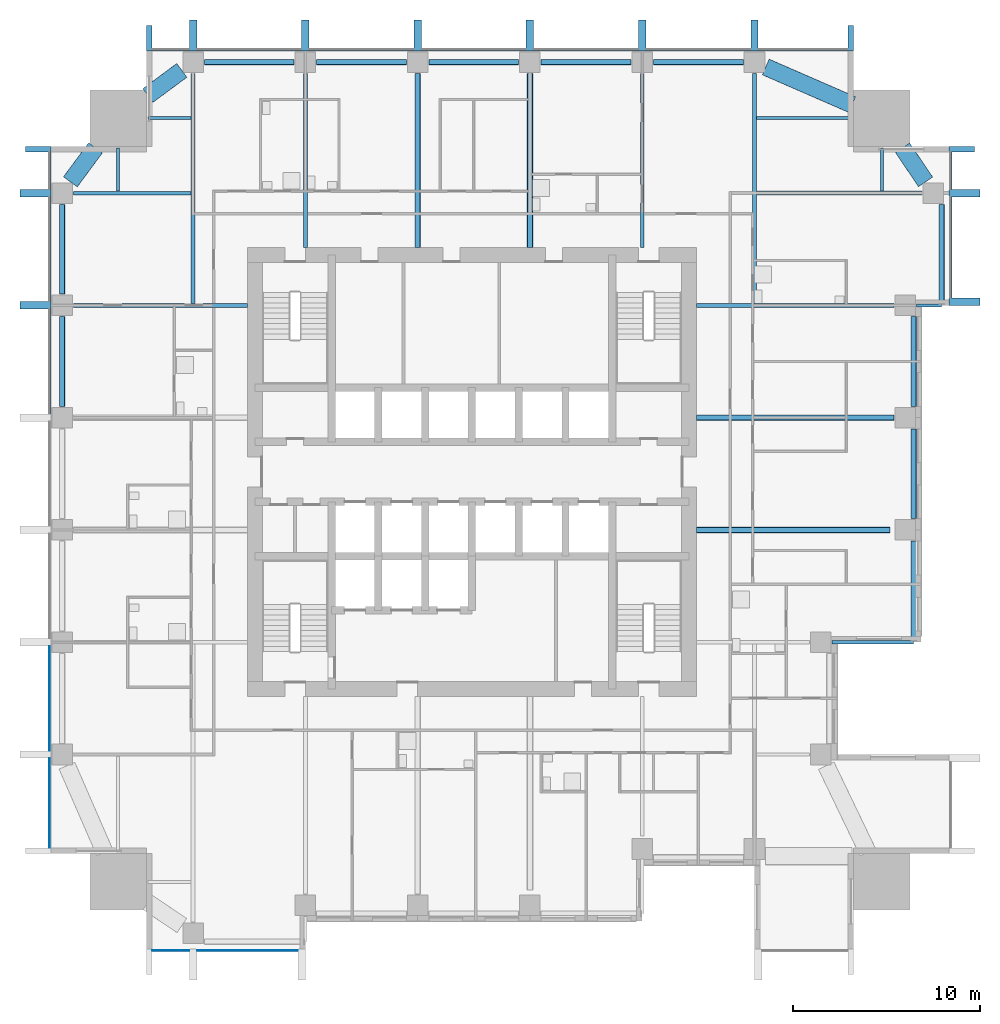
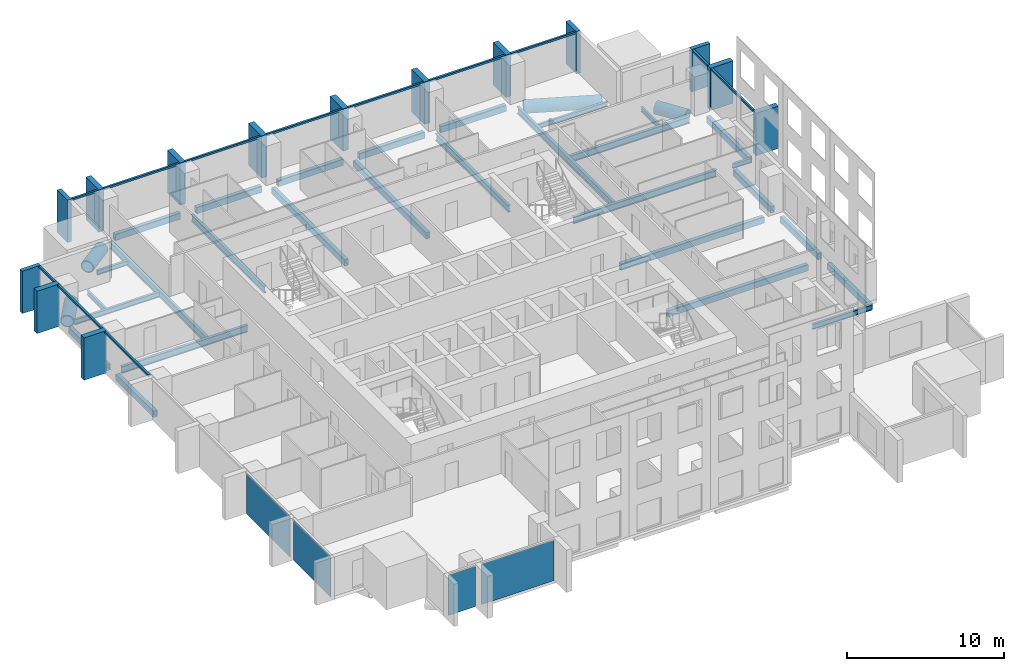
# One storey, part 2 of 13: 33 beams, 26 members, 4 plates, 4 elements without a shape of their own.
"""IFC4 building model written with IfcOpenShell, lengths in metres."""

from ifc_helpers import new_model, si_unit, direction, frame, origin, origin_2d, place, context, subcontext, project, spatial, rectangle, hollow_rectangle, hollow_circle, i_section, extrude, material, layer, layer_set, material_profile, profile_set, type_object, element, aggregate, save


model = new_model("IFC4")

# Units and contexts
model_context = context("Model", 3, precision=1e-05, world=origin(), true_north=direction((0.0, 1.0)))
body_context = subcontext(model_context, "Body", "Model", "MODEL_VIEW")
ifc_project = project(units=[si_unit("LENGTHUNIT", "METRE"), si_unit("AREAUNIT", "SQUARE_METRE"), si_unit("VOLUMEUNIT", "CUBIC_METRE"), si_unit("PLANEANGLEUNIT", "RADIAN"), si_unit("MASSUNIT", "GRAM", prefix="KILO")], contexts=[model_context])

# Site, building, storey
site_placement = place(None, origin())
site = spatial("IfcSite", under=ifc_project, at=site_placement, CompositionType="ELEMENT")
building_placement = place(site_placement, origin())
building = spatial("IfcBuilding", under=site, at=building_placement, Name="Amberfall Residences", CompositionType="ELEMENT")
storey_placement = place(building_placement, frame((0.0, 0.0, 78.699951171875)))
storey = spatial("IfcBuildingStorey", under=building, at=storey_placement, Name="L20", CompositionType="ELEMENT", Elevation=78.699951171875)

# Beams
ifc_material_1 = material(Name="Steel S355", Category="steel")
ifc_material_profile_1 = material_profile(ifc_material_1, hollow_circle(Radius=0.457275390625, WallThickness=0.06005859375, at=origin_2d()), Name="CHS 914.4x60")
ifc_profile_set_1 = profile_set([ifc_material_profile_1], Name="Steel S355")
beam_type_1 = type_object("IfcBeamType", Name="Belt truss chord BT CHS 914.4x60", PredefinedType="BEAM", material=ifc_profile_set_1)
beam_1_placement = place(storey_placement, frame((94.817626953125, 65.128662109375, -0.70703125), z_axis=(-0.916883448784, 0.399155034223, 0.0), x_axis=(-0.399155034223, -0.916883448784, 0.0)))
element("IfcBeam", 1, at=beam_1_placement, inside=storey, type_object=beam_type_1, Name="Belt truss chord BT BT2 L20 53", PredefinedType="BEAM", context=body_context, shape_type="SweptSolid", body=[
    extrude(hollow_circle(Radius=0.457275390625, WallThickness=0.06005859375, at=origin_2d()), origin(), (0.0, 0.0, 1.0), 5.036376953125),
])
beam_2_placement = place(storey_placement, frame((97.51416015625, 62.818115234375, -0.70703125), z_axis=(0.559417416459, -0.828886092393, 0.0), x_axis=(0.828886092393, 0.559417416459, 0.0)))
element("IfcBeam", 2, at=beam_2_placement, inside=storey, type_object=beam_type_1, Name="Belt truss chord BT BT2 L20 54", PredefinedType="BEAM", context=body_context, shape_type="SweptSolid", body=[
    extrude(hollow_circle(Radius=0.457275390625, WallThickness=0.06005859375, at=origin_2d()), origin(), (0.0, 0.0, 1.0), 2.193359375),
])
for number, where, z_axis, x_axis, name in (
    (3, (57.181884765625, 65.615478515625, -0.70703125), (0.804604806662, 0.59381066435, 0.0), (-0.59381066435, 0.804604806662, 0.0), "Belt truss chord BT BT2 L20 55"),
    (4, (54.384521484375, 62.818115234375, -0.70703125), (-0.59381066435, -0.804604806662, 0.0), (0.804604806662, -0.59381066435, 0.0), "Belt truss chord BT BT2 L20 56"),
):
    element("IfcBeam", number, at=place(storey_placement, frame(where, z_axis=z_axis, x_axis=x_axis)), inside=storey, type_object=beam_type_1, Name=name, PredefinedType="BEAM", context=body_context, shape_type="SweptSolid", body=[
        extrude(hollow_circle(Radius=0.457275390625, WallThickness=0.06005859375, at=origin_2d()), origin(), (0.0, 0.0, 1.0), 2.259521484375),
    ])
ifc_material_profile_2 = material_profile(ifc_material_1, hollow_rectangle(XDim=0.300048828125, YDim=0.5, WallThickness=0.01611328125, InnerFilletRadius=0.01611328125, OuterFilletRadius=0.02392578125, at=origin_2d()), Name="RHS 500x300x16")
ifc_profile_set_2 = profile_set([ifc_material_profile_2], Name="Steel S355")
beam_type_2 = type_object("IfcBeamType", Name="Belt truss chord BT RHS 500x300x16", PredefinedType="BEAM", material=ifc_profile_set_2)
beam_3_placement = place(storey_placement, frame((98.10009765625, 36.47998046875, -0.5), z_axis=(0.0, 1.0, 0.0), x_axis=(-1.0, 0.0, 0.0)))
element("IfcBeam", 5, at=beam_3_placement, inside=storey, type_object=beam_type_2, Name="Belt truss chord BT BT1 L20 15", PredefinedType="BEAM", context=body_context, shape_type="SweptSolid", body=[
    extrude(hollow_rectangle(XDim=0.300048828125, YDim=0.5, WallThickness=0.01611328125, InnerFilletRadius=0.01611328125, OuterFilletRadius=0.02392578125, at=origin_2d()), origin(), (0.0, 0.0, 1.0), 5.320068359375),
])
for number, where, z_axis, x_axis, name in (
    (6, (98.10009765625, 43.0, -0.5), (0.0, 1.0, 0.0), (-1.0, 0.0, 0.0), "Belt truss chord BT BT1 L20 16"),
    (7, (98.10009765625, 49.0, -0.5), (0.0, 1.0, 0.0), (-1.0, 0.0, 0.0), "Belt truss chord BT BT1 L20 17"),
):
    element("IfcBeam", number, at=place(storey_placement, frame(where, z_axis=z_axis, x_axis=x_axis)), inside=storey, type_object=beam_type_2, Name=name, PredefinedType="BEAM", context=body_context, shape_type="SweptSolid", body=[
        extrude(hollow_rectangle(XDim=0.300048828125, YDim=0.5, WallThickness=0.01611328125, InnerFilletRadius=0.01611328125, OuterFilletRadius=0.02392578125, at=origin_2d()), origin(), (0.0, 0.0, 1.0), 4.800048828125),
    ])
beam_4_placement = place(storey_placement, frame((99.60009765625, 54.47998046875, -0.5), z_axis=(0.0, 1.0, 0.0), x_axis=(-1.0, 0.0, 0.0)))
element("IfcBeam", 8, at=beam_4_placement, inside=storey, type_object=beam_type_2, Name="Belt truss chord BT BT1 L20 18", PredefinedType="BEAM", context=body_context, shape_type="SweptSolid", body=[
    extrude(hollow_rectangle(XDim=0.300048828125, YDim=0.5, WallThickness=0.01611328125, InnerFilletRadius=0.01611328125, OuterFilletRadius=0.02392578125, at=origin_2d()), origin(), (0.0, 0.0, 1.0), 5.320068359375),
])
for number, where, z_axis, x_axis, name in (
    (9, (60.199951171875, 67.39990234375, -0.5), (1.0, 0.0, 0.0), (0.0, 1.0, 0.0), "Belt truss chord BT BT1 L20 27"),
    (10, (66.199951171875, 67.39990234375, -0.5), (1.0, 0.0, 0.0), (0.0, 1.0, 0.0), "Belt truss chord BT BT1 L20 28"),
    (11, (72.199951171875, 67.39990234375, -0.5), (1.0, 0.0, 0.0), (0.0, 1.0, 0.0), "Belt truss chord BT BT1 L20 29"),
    (12, (78.199951171875, 67.39990234375, -0.5), (1.0, 0.0, 0.0), (0.0, 1.0, 0.0), "Belt truss chord BT BT1 L20 30"),
    (13, (84.199951171875, 67.39990234375, -0.5), (1.0, 0.0, 0.0), (0.0, 1.0, 0.0), "Belt truss chord BT BT1 L20 31"),
    (14, (52.60009765625, 49.0, -0.5), (0.0, 1.0, 0.0), (-1.0, 0.0, 0.0), "Belt truss chord BT BT1 L20 41"),
    (15, (52.60009765625, 55.0, -0.5), (0.0, 1.0, 0.0), (-1.0, 0.0, 0.0), "Belt truss chord BT BT1 L20 42"),
):
    element("IfcBeam", number, at=place(storey_placement, frame(where, z_axis=z_axis, x_axis=x_axis)), inside=storey, type_object=beam_type_2, Name=name, PredefinedType="BEAM", context=body_context, shape_type="SweptSolid", body=[
        extrude(hollow_rectangle(XDim=0.300048828125, YDim=0.5, WallThickness=0.01611328125, InnerFilletRadius=0.01611328125, OuterFilletRadius=0.02392578125, at=origin_2d()), origin(), (0.0, 0.0, 1.0), 4.800048828125),
    ])

# Curtain wall, members
ifc_material_2 = material(Name="Bronze anodised aluminium and glass", Category="aluminium")
curtain_wall_type = type_object("IfcCurtainWallType", Name="Curtain wall CW1 tower unit", PredefinedType="USERDEFINED", material=ifc_material_2)
curtain_wall_1_placement = place(storey_placement, origin())
curtain_wall_1 = element("IfcCurtainWall", 16, at=curtain_wall_1_placement, inside=storey, type_object=curtain_wall_type, Name="Curtain wall L20 E E9", ObjectType="UNITISED CURTAIN WALL", PredefinedType="USERDEFINED")
ifc_material_3 = material(Name="Bronze anodised aluminium", Category="aluminium")
ifc_material_profile_3 = material_profile(ifc_material_3, rectangle(XDim=0.14990234375, YDim=0.14990234375, at=origin_2d()), Name="CW1 transom 150 x 150 bronze")
ifc_profile_set_3 = profile_set([ifc_material_profile_3], Name="Bronze anodised aluminium")
member_type_1 = type_object("IfcMemberType", Name="CW1 transom 150 x 150 bronze", PredefinedType="USERDEFINED", material=ifc_profile_set_3)
member_1_placement = place(storey_placement, frame((100.074951171875, 54.800048828125, 2.97509765625), z_axis=(0.0, 1.0, 0.0), x_axis=(-1.0, 0.0, 0.0)))
member_1 = element("IfcMember", 17, at=member_1_placement, type_object=member_type_1, Name="CW1 transom 1.1", ObjectType="TRANSOM", PredefinedType="USERDEFINED", context=body_context, shape_type="SweptSolid", body=[
    extrude(rectangle(XDim=0.14990234375, YDim=0.14990234375, at=origin_2d()), origin(), (0.0, 0.0, 1.0), 5.39990234375),
])
member_2_placement = place(storey_placement, frame((100.074951171875, 60.60009765625, 2.97509765625), z_axis=(0.0, 1.0, 0.0), x_axis=(-1.0, 0.0, 0.0)))
member_2 = element("IfcMember", 18, at=member_2_placement, type_object=member_type_1, Name="CW1 transom 2.1", ObjectType="TRANSOM", PredefinedType="USERDEFINED", context=body_context, shape_type="SweptSolid", body=[
    extrude(rectangle(XDim=0.14990234375, YDim=0.14990234375, at=origin_2d()), origin(), (0.0, 0.0, 1.0), 2.0),
])

curtain_wall_2_placement = place(storey_placement, origin())
curtain_wall_2 = element("IfcCurtainWall", 19, at=curtain_wall_2_placement, inside=storey, type_object=curtain_wall_type, Name="Curtain wall L20 N N1", ObjectType="UNITISED CURTAIN WALL", PredefinedType="USERDEFINED")
member_3_placement = place(storey_placement, frame((94.60009765625, 68.074951171875, 2.97509765625), z_axis=(-1.0, 0.0, 0.0), x_axis=(0.0, -1.0, 0.0)))
member_3 = element("IfcMember", 20, at=member_3_placement, type_object=member_type_1, Name="CW1 transom 1.1", ObjectType="TRANSOM", PredefinedType="USERDEFINED", context=body_context, shape_type="SweptSolid", body=[
    extrude(rectangle(XDim=0.14990234375, YDim=0.14990234375, at=origin_2d()), origin(), (0.0, 0.0, 1.0), 4.800048828125),
])
member_4_placement = place(storey_placement, frame((89.39990234375, 68.074951171875, 2.97509765625), z_axis=(-1.0, 0.0, 0.0), x_axis=(0.0, -1.0, 0.0)))
member_4 = element("IfcMember", 21, at=member_4_placement, type_object=member_type_1, Name="CW1 transom 2.1", ObjectType="TRANSOM", PredefinedType="USERDEFINED", context=body_context, shape_type="SweptSolid", body=[
    extrude(rectangle(XDim=0.14990234375, YDim=0.14990234375, at=origin_2d()), origin(), (0.0, 0.0, 1.0), 5.599853515625),
])
member_5_placement = place(storey_placement, frame((83.39990234375, 68.074951171875, 2.97509765625), z_axis=(-1.0, 0.0, 0.0), x_axis=(0.0, -1.0, 0.0)))
member_5 = element("IfcMember", 22, at=member_5_placement, type_object=member_type_1, Name="CW1 transom 3.1", ObjectType="TRANSOM", PredefinedType="USERDEFINED", context=body_context, shape_type="SweptSolid", body=[
    extrude(rectangle(XDim=0.14990234375, YDim=0.14990234375, at=origin_2d()), origin(), (0.0, 0.0, 1.0), 5.599853515625),
])
member_6_placement = place(storey_placement, frame((77.39990234375, 68.074951171875, 2.97509765625), z_axis=(-1.0, 0.0, 0.0), x_axis=(0.0, -1.0, 0.0)))
member_6 = element("IfcMember", 23, at=member_6_placement, type_object=member_type_1, Name="CW1 transom 4.1", ObjectType="TRANSOM", PredefinedType="USERDEFINED", context=body_context, shape_type="SweptSolid", body=[
    extrude(rectangle(XDim=0.14990234375, YDim=0.14990234375, at=origin_2d()), origin(), (0.0, 0.0, 1.0), 5.599853515625),
])
member_7_placement = place(storey_placement, frame((71.39990234375, 68.074951171875, 2.97509765625), z_axis=(-1.0, 0.0, 0.0), x_axis=(0.0, -1.0, 0.0)))
member_7 = element("IfcMember", 24, at=member_7_placement, type_object=member_type_1, Name="CW1 transom 5.1", ObjectType="TRANSOM", PredefinedType="USERDEFINED", context=body_context, shape_type="SweptSolid", body=[
    extrude(rectangle(XDim=0.14990234375, YDim=0.14990234375, at=origin_2d()), origin(), (0.0, 0.0, 1.0), 5.599853515625),
])
member_8_placement = place(storey_placement, frame((65.39990234375, 68.074951171875, 2.97509765625), z_axis=(-1.0, 0.0, 0.0), x_axis=(0.0, -1.0, 0.0)))
member_8 = element("IfcMember", 25, at=member_8_placement, type_object=member_type_1, Name="CW1 transom 6.1", ObjectType="TRANSOM", PredefinedType="USERDEFINED", context=body_context, shape_type="SweptSolid", body=[
    extrude(rectangle(XDim=0.14990234375, YDim=0.14990234375, at=origin_2d()), origin(), (0.0, 0.0, 1.0), 5.599853515625),
])
member_9_placement = place(storey_placement, frame((59.39990234375, 68.074951171875, 2.97509765625), z_axis=(-1.0, 0.0, 0.0), x_axis=(0.0, -1.0, 0.0)))
member_9 = element("IfcMember", 26, at=member_9_placement, type_object=member_type_1, Name="CW1 transom 7.1", ObjectType="TRANSOM", PredefinedType="USERDEFINED", context=body_context, shape_type="SweptSolid", body=[
    extrude(rectangle(XDim=0.14990234375, YDim=0.14990234375, at=origin_2d()), origin(), (0.0, 0.0, 1.0), 2.0),
])

curtain_wall_3_placement = place(storey_placement, origin())
curtain_wall_3 = element("IfcCurtainWall", 27, at=curtain_wall_3_placement, inside=storey, type_object=curtain_wall_type, Name="Curtain wall L20 W W1", ObjectType="UNITISED CURTAIN WALL", PredefinedType="USERDEFINED")
member_10_placement = place(storey_placement, frame((51.925048828125, 62.60009765625, 2.97509765625), z_axis=(0.0, -1.0, 0.0), x_axis=(1.0, 0.0, 0.0)))
member_10 = element("IfcMember", 28, at=member_10_placement, type_object=member_type_1, Name="CW1 transom 1.1", ObjectType="TRANSOM", PredefinedType="USERDEFINED", context=body_context, shape_type="SweptSolid", body=[
    extrude(rectangle(XDim=0.14990234375, YDim=0.14990234375, at=origin_2d()), origin(), (0.0, 0.0, 1.0), 2.0),
])
member_11_placement = place(storey_placement, frame((51.925048828125, 60.199951171875, 2.97509765625), z_axis=(0.0, -1.0, 0.0), x_axis=(1.0, 0.0, 0.0)))
member_11 = element("IfcMember", 29, at=member_11_placement, type_object=member_type_1, Name="CW1 transom 2.1", ObjectType="TRANSOM", PredefinedType="USERDEFINED", context=body_context, shape_type="SweptSolid", body=[
    extrude(rectangle(XDim=0.14990234375, YDim=0.14990234375, at=origin_2d()), origin(), (0.0, 0.0, 1.0), 5.599853515625),
])
member_12_placement = place(storey_placement, frame((51.925048828125, 54.199951171875, 2.97509765625), z_axis=(0.0, -1.0, 0.0), x_axis=(1.0, 0.0, 0.0)))
member_12 = element("IfcMember", 30, at=member_12_placement, type_object=member_type_1, Name="CW1 transom 3.1", ObjectType="TRANSOM", PredefinedType="USERDEFINED", context=body_context, shape_type="SweptSolid", body=[
    extrude(rectangle(XDim=0.14990234375, YDim=0.14990234375, at=origin_2d()), origin(), (0.0, 0.0, 1.0), 5.599853515625),
])

# Beams
ifc_material_profile_4 = material_profile(ifc_material_1, i_section(OverallWidth=0.171142578125, OverallDepth=0.351318359375, WebThickness=0.007080078125, FlangeThickness=0.009765625, FilletRadius=0.01025390625, at=origin_2d()), Name="UB 356x171x45")
ifc_profile_set_4 = profile_set([ifc_material_profile_4], Name="Steel S355")
beam_type_3 = type_object("IfcBeamType", Name="Cantilever girder UB 356x171x45", PredefinedType="BEAM", material=ifc_profile_set_4)
beam_5_placement = place(storey_placement, frame((98.2470703125, 54.39990234375, -0.425537109375), z_axis=(1.0, 0.0, 0.0), x_axis=(0.0, 1.0, 0.0)))
element("IfcBeam", 31, at=beam_5_placement, inside=storey, type_object=beam_type_3, Name="Cantilever girder B8 L20 20", PredefinedType="BEAM", context=body_context, shape_type="SweptSolid", body=[
    extrude(i_section(OverallWidth=0.171142578125, OverallDepth=0.351318359375, WebThickness=0.007080078125, FlangeThickness=0.009765625, FilletRadius=0.01025390625, at=origin_2d()), origin(), (0.0, 0.0, 1.0), 1.35302734375),
])
ifc_material_profile_5 = material_profile(ifc_material_1, i_section(OverallWidth=0.177734375, OverallDepth=0.402587890625, WebThickness=0.0078125, FlangeThickness=0.010986328125, FilletRadius=0.01025390625, at=origin_2d()), Name="UB 406x178x54")
ifc_profile_set_5 = profile_set([ifc_material_profile_5], Name="Steel S355")
beam_type_4 = type_object("IfcBeamType", Name="Cantilever girder UB 406x178x54", PredefinedType="BEAM", material=ifc_profile_set_5)
beam_6_placement = place(storey_placement, frame((93.7470703125, 36.39990234375, -0.451171875), z_axis=(1.0, 0.0, 0.0), x_axis=(0.0, 1.0, 0.0)))
element("IfcBeam", 32, at=beam_6_placement, inside=storey, type_object=beam_type_4, Name="Cantilever girder B9 L20 19", PredefinedType="BEAM", context=body_context, shape_type="SweptSolid", body=[
    extrude(i_section(OverallWidth=0.177734375, OverallDepth=0.402587890625, WebThickness=0.0078125, FlangeThickness=0.010986328125, FilletRadius=0.01025390625, at=origin_2d()), origin(), (0.0, 0.0, 1.0), 4.35302734375),
])

# Member
ifc_material_profile_6 = material_profile(ifc_material_3, rectangle(XDim=1.35009765625, YDim=0.300048828125, at=origin_2d()), Name="Corner fin 300 x 1350 bronze")
ifc_profile_set_6 = profile_set([ifc_material_profile_6], Name="Bronze anodised aluminium")
member_type_2 = type_object("IfcMemberType", Name="Corner fin 300 x 1350 bronze", PredefinedType="MULLION", material=ifc_profile_set_6)
member_13_placement = place(storey_placement, frame((100.675048828125, 62.75, -0.25), z_axis=(0.0, 0.0, 1.0), x_axis=(-1.0, 0.0, 0.0)))
member_13 = element("IfcMember", 33, at=member_13_placement, type_object=member_type_2, Name="CW FIN 3", PredefinedType="MULLION", context=body_context, shape_type="SweptSolid", body=[
    extrude(rectangle(XDim=1.35009765625, YDim=0.300048828125, at=origin_2d()), origin(), (0.0, 0.0, 1.0), 3.300048828125),
])

member_14_placement = place(storey_placement, frame((94.75, 68.675048828125, -0.25), z_axis=(0.0, 0.0, 1.0), x_axis=(0.0, -1.0, 0.0)))
member_14 = element("IfcMember", 34, at=member_14_placement, type_object=member_type_2, Name="CW FIN 1", PredefinedType="MULLION", context=body_context, shape_type="SweptSolid", body=[
    extrude(rectangle(XDim=1.35009765625, YDim=0.300048828125, at=origin_2d()), origin(), (0.0, 0.0, 1.0), 3.300048828125),
])

member_15_placement = place(storey_placement, frame((57.25, 68.675048828125, -0.25), z_axis=(0.0, 0.0, 1.0), x_axis=(0.0, -1.0, 0.0)))
member_15 = element("IfcMember", 35, at=member_15_placement, type_object=member_type_2, Name="CW FIN 8", PredefinedType="MULLION", context=body_context, shape_type="SweptSolid", body=[
    extrude(rectangle(XDim=1.35009765625, YDim=0.300048828125, at=origin_2d()), origin(), (0.0, 0.0, 1.0), 3.300048828125),
])

member_16_placement = place(storey_placement, frame((51.324951171875, 62.75, -0.25), z_axis=(0.0, 0.0, 1.0), x_axis=(1.0, 0.0, 0.0)))
member_16 = element("IfcMember", 36, at=member_16_placement, type_object=member_type_2, Name="CW FIN 1", PredefinedType="MULLION", context=body_context, shape_type="SweptSolid", body=[
    extrude(rectangle(XDim=1.35009765625, YDim=0.300048828125, at=origin_2d()), origin(), (0.0, 0.0, 1.0), 3.300048828125),
])

ifc_material_profile_7 = material_profile(ifc_material_3, rectangle(XDim=1.64990234375, YDim=0.39990234375, at=origin_2d()), Name="Fin 400 x 1650 bronze")
ifc_profile_set_7 = profile_set([ifc_material_profile_7], Name="Bronze anodised aluminium")
member_type_3 = type_object("IfcMemberType", Name="Fin 400 x 1650 bronze", PredefinedType="MULLION", material=ifc_profile_set_7)
member_17_placement = place(storey_placement, frame((100.824951171875, 54.60009765625, -0.25), z_axis=(0.0, 0.0, 1.0), x_axis=(-1.0, 0.0, 0.0)))
member_17 = element("IfcMember", 37, at=member_17_placement, type_object=member_type_3, Name="CW FIN 1", PredefinedType="MULLION", context=body_context, shape_type="SweptSolid", body=[
    extrude(rectangle(XDim=1.64990234375, YDim=0.39990234375, at=origin_2d()), origin(), (0.0, 0.0, 1.0), 3.300048828125),
])

member_18_placement = place(storey_placement, frame((100.824951171875, 60.39990234375, -0.25), z_axis=(0.0, 0.0, 1.0), x_axis=(-1.0, 0.0, 0.0)))
member_18 = element("IfcMember", 38, at=member_18_placement, type_object=member_type_3, Name="CW FIN 2", PredefinedType="MULLION", context=body_context, shape_type="SweptSolid", body=[
    extrude(rectangle(XDim=1.64990234375, YDim=0.39990234375, at=origin_2d()), origin(), (0.0, 0.0, 1.0), 3.300048828125),
])

aggregate(curtain_wall_1, [member_17, member_18, member_13, member_1, member_2])

member_19_placement = place(storey_placement, frame((89.60009765625, 68.824951171875, -0.25), z_axis=(0.0, 0.0, 1.0), x_axis=(0.0, -1.0, 0.0)))
member_19 = element("IfcMember", 39, at=member_19_placement, type_object=member_type_3, Name="CW FIN 2", PredefinedType="MULLION", context=body_context, shape_type="SweptSolid", body=[
    extrude(rectangle(XDim=1.64990234375, YDim=0.39990234375, at=origin_2d()), origin(), (0.0, 0.0, 1.0), 3.300048828125),
])

member_20_placement = place(storey_placement, frame((83.60009765625, 68.824951171875, -0.25), z_axis=(0.0, 0.0, 1.0), x_axis=(0.0, -1.0, 0.0)))
member_20 = element("IfcMember", 40, at=member_20_placement, type_object=member_type_3, Name="CW FIN 3", PredefinedType="MULLION", context=body_context, shape_type="SweptSolid", body=[
    extrude(rectangle(XDim=1.64990234375, YDim=0.39990234375, at=origin_2d()), origin(), (0.0, 0.0, 1.0), 3.300048828125),
])

member_21_placement = place(storey_placement, frame((77.60009765625, 68.824951171875, -0.25), z_axis=(0.0, 0.0, 1.0), x_axis=(0.0, -1.0, 0.0)))
member_21 = element("IfcMember", 41, at=member_21_placement, type_object=member_type_3, Name="CW FIN 4", PredefinedType="MULLION", context=body_context, shape_type="SweptSolid", body=[
    extrude(rectangle(XDim=1.64990234375, YDim=0.39990234375, at=origin_2d()), origin(), (0.0, 0.0, 1.0), 3.300048828125),
])

member_22_placement = place(storey_placement, frame((71.60009765625, 68.824951171875, -0.25), z_axis=(0.0, 0.0, 1.0), x_axis=(0.0, -1.0, 0.0)))
member_22 = element("IfcMember", 42, at=member_22_placement, type_object=member_type_3, Name="CW FIN 5", PredefinedType="MULLION", context=body_context, shape_type="SweptSolid", body=[
    extrude(rectangle(XDim=1.64990234375, YDim=0.39990234375, at=origin_2d()), origin(), (0.0, 0.0, 1.0), 3.300048828125),
])

member_23_placement = place(storey_placement, frame((65.60009765625, 68.824951171875, -0.25), z_axis=(0.0, 0.0, 1.0), x_axis=(0.0, -1.0, 0.0)))
member_23 = element("IfcMember", 43, at=member_23_placement, type_object=member_type_3, Name="CW FIN 6", PredefinedType="MULLION", context=body_context, shape_type="SweptSolid", body=[
    extrude(rectangle(XDim=1.64990234375, YDim=0.39990234375, at=origin_2d()), origin(), (0.0, 0.0, 1.0), 3.300048828125),
])

member_24_placement = place(storey_placement, frame((59.60009765625, 68.824951171875, -0.25), z_axis=(0.0, 0.0, 1.0), x_axis=(0.0, -1.0, 0.0)))
member_24 = element("IfcMember", 44, at=member_24_placement, type_object=member_type_3, Name="CW FIN 7", PredefinedType="MULLION", context=body_context, shape_type="SweptSolid", body=[
    extrude(rectangle(XDim=1.64990234375, YDim=0.39990234375, at=origin_2d()), origin(), (0.0, 0.0, 1.0), 3.300048828125),
])

aggregate(curtain_wall_2, [member_14, member_19, member_20, member_21, member_22, member_23, member_24, member_15, member_3, member_4, member_5, member_6, member_7, member_8, member_9])

member_25_placement = place(storey_placement, frame((51.175048828125, 60.39990234375, -0.25), z_axis=(0.0, 0.0, 1.0), x_axis=(1.0, 0.0, 0.0)))
member_25 = element("IfcMember", 45, at=member_25_placement, type_object=member_type_3, Name="CW FIN 2", PredefinedType="MULLION", context=body_context, shape_type="SweptSolid", body=[
    extrude(rectangle(XDim=1.64990234375, YDim=0.39990234375, at=origin_2d()), origin(), (0.0, 0.0, 1.0), 3.300048828125),
])

member_26_placement = place(storey_placement, frame((51.175048828125, 54.39990234375, -0.25), z_axis=(0.0, 0.0, 1.0), x_axis=(1.0, 0.0, 0.0)))
member_26 = element("IfcMember", 46, at=member_26_placement, type_object=member_type_3, Name="CW FIN 3", PredefinedType="MULLION", context=body_context, shape_type="SweptSolid", body=[
    extrude(rectangle(XDim=1.64990234375, YDim=0.39990234375, at=origin_2d()), origin(), (0.0, 0.0, 1.0), 3.300048828125),
])

# Beams
ifc_material_profile_8 = material_profile(ifc_material_1, i_section(OverallWidth=0.177734375, OverallDepth=0.402587890625, WebThickness=0.0078125, FlangeThickness=0.010986328125, FilletRadius=0.01025390625, at=origin_2d()), Name="UB 406x178x54")
ifc_profile_set_8 = profile_set([ifc_material_profile_8], Name="Steel S355")
beam_type_5 = type_object("IfcBeamType", Name="Floor girder UB 406x178x54", PredefinedType="BEAM", material=ifc_profile_set_8)
beam_7_placement = place(storey_placement, frame((53.199951171875, 60.39990234375, -0.451171875), z_axis=(1.0, 0.0, 0.0), x_axis=(0.0, 1.0, 0.0)))
element("IfcBeam", 47, at=beam_7_placement, inside=storey, type_object=beam_type_5, Name="Floor girder B4 L20 48", PredefinedType="BEAM", context=body_context, shape_type="SweptSolid", body=[
    extrude(i_section(OverallWidth=0.177734375, OverallDepth=0.402587890625, WebThickness=0.0078125, FlangeThickness=0.010986328125, FilletRadius=0.01025390625, at=origin_2d()), origin(), (0.0, 0.0, 1.0), 6.280029296875),
])
ifc_material_profile_9 = material_profile(ifc_material_1, i_section(OverallWidth=0.210693359375, OverallDepth=0.53955078125, WebThickness=0.01171875, FlangeThickness=0.018798828125, FilletRadius=0.0126953125, at=origin_2d()), Name="UB 533x210x109")
ifc_profile_set_9 = profile_set([ifc_material_profile_9], Name="Steel S355")
beam_type_6 = type_object("IfcBeamType", Name="Floor girder UB 533x210x109", PredefinedType="BEAM", material=ifc_profile_set_9)
for number, where, z_axis, x_axis, name in (
    (48, (59.60009765625, 66.800048828125, -0.519775390625), (0.0, -1.0, 0.0), (1.0, 0.0, 0.0), "Floor girder B2 L20 32"),
    (49, (89.60009765625, 66.800048828125, -0.519775390625), (0.0, -1.0, 0.0), (1.0, 0.0, 0.0), "Floor girder B2 L20 37"),
):
    element("IfcBeam", number, at=place(storey_placement, frame(where, z_axis=z_axis, x_axis=x_axis)), inside=storey, type_object=beam_type_6, Name=name, PredefinedType="BEAM", context=body_context, shape_type="SweptSolid", body=[
        extrude(i_section(OverallWidth=0.210693359375, OverallDepth=0.53955078125, WebThickness=0.01171875, FlangeThickness=0.018798828125, FilletRadius=0.0126953125, at=origin_2d()), origin(), (0.0, 0.0, 1.0), 12.300537109375),
    ])
ifc_material_profile_10 = material_profile(ifc_material_1, i_section(OverallWidth=0.209228515625, OverallDepth=0.533203125, WebThickness=0.010009765625, FlangeThickness=0.015625, FilletRadius=0.0126953125, at=origin_2d()), Name="UB 533x210x92")
ifc_profile_set_10 = profile_set([ifc_material_profile_10], Name="Steel S355")
beam_type_7 = type_object("IfcBeamType", Name="Floor girder UB 533x210x92", PredefinedType="BEAM", material=ifc_profile_set_10)
beam_8_placement = place(storey_placement, frame((97.047119140625, 54.39990234375, -0.5166015625), z_axis=(-1.0, 0.0, 0.0), x_axis=(0.0, -1.0, 0.0)))
element("IfcBeam", 50, at=beam_8_placement, inside=storey, type_object=beam_type_7, Name="Floor girder B3 L20 25", PredefinedType="BEAM", context=body_context, shape_type="SweptSolid", body=[
    extrude(i_section(OverallWidth=0.209228515625, OverallDepth=0.533203125, WebThickness=0.010009765625, FlangeThickness=0.015625, FilletRadius=0.0126953125, at=origin_2d()), origin(), (0.0, 0.0, 1.0), 10.547119140625),
])
beam_9_placement = place(storey_placement, frame((98.547119140625, 60.39990234375, -0.5166015625), z_axis=(-1.0, 0.0, 0.0), x_axis=(0.0, -1.0, 0.0)))
element("IfcBeam", 51, at=beam_9_placement, inside=storey, type_object=beam_type_7, Name="Floor girder B3 L20 26", PredefinedType="BEAM", context=body_context, shape_type="SweptSolid", body=[
    extrude(i_section(OverallWidth=0.209228515625, OverallDepth=0.533203125, WebThickness=0.010009765625, FlangeThickness=0.015625, FilletRadius=0.0126953125, at=origin_2d()), origin(), (0.0, 0.0, 1.0), 8.8271484375),
])
for number, where, z_axis, x_axis, name in (
    (52, (65.60009765625, 66.800048828125, -0.5166015625), (0.0, -1.0, 0.0), (1.0, 0.0, 0.0), "Floor girder B3 L20 33"),
    (53, (83.60009765625, 66.800048828125, -0.5166015625), (0.0, -1.0, 0.0), (1.0, 0.0, 0.0), "Floor girder B3 L20 36"),
    (54, (53.199951171875, 54.39990234375, -0.5166015625), (1.0, 0.0, 0.0), (0.0, 1.0, 0.0), "Floor girder B3 L20 47"),
):
    element("IfcBeam", number, at=place(storey_placement, frame(where, z_axis=z_axis, x_axis=x_axis)), inside=storey, type_object=beam_type_7, Name=name, PredefinedType="BEAM", context=body_context, shape_type="SweptSolid", body=[
        extrude(i_section(OverallWidth=0.209228515625, OverallDepth=0.533203125, WebThickness=0.010009765625, FlangeThickness=0.015625, FilletRadius=0.0126953125, at=origin_2d()), origin(), (0.0, 0.0, 1.0), 9.300048828125),
    ])
ifc_material_profile_11 = material_profile(ifc_material_1, i_section(OverallWidth=0.171142578125, OverallDepth=0.351318359375, WebThickness=0.007080078125, FlangeThickness=0.009765625, FilletRadius=0.01025390625, at=origin_2d()), Name="UB 356x171x45")
ifc_profile_set_11 = profile_set([ifc_material_profile_11], Name="Steel S355")
beam_type_8 = type_object("IfcBeamType", Name="Link beam UB 356x171x45", PredefinedType="BEAM", material=ifc_profile_set_11)
beam_10_placement = place(storey_placement, frame((94.815185546875, 64.41845703125, -0.425537109375), z_axis=(-1.0, 0.0, 0.0), x_axis=(0.0, -1.0, 0.0)))
element("IfcBeam", 55, at=beam_10_placement, inside=storey, type_object=beam_type_8, Name="Link beam B7 L20 59", PredefinedType="BEAM", context=body_context, shape_type="SweptSolid", body=[
    extrude(i_section(OverallWidth=0.171142578125, OverallDepth=0.351318359375, WebThickness=0.007080078125, FlangeThickness=0.009765625, FilletRadius=0.01025390625, at=origin_2d()), origin(), (0.0, 0.0, 1.0), 5.110107421875),
])
for number, where, z_axis, x_axis, name in (
    (56, (96.41845703125, 62.815185546875, -0.425537109375), (0.0, -1.0, 0.0), (1.0, 0.0, 0.0), "Link beam B7 L20 60"),
    (57, (57.184814453125, 64.41845703125, -0.425537109375), (1.0, 0.0, 0.0), (0.0, 1.0, 0.0), "Link beam B7 L20 61"),
    (58, (55.58154296875, 62.815185546875, -0.425537109375), (0.0, -1.0, 0.0), (1.0, 0.0, 0.0), "Link beam B7 L20 62"),
):
    element("IfcBeam", number, at=place(storey_placement, frame(where, z_axis=z_axis, x_axis=x_axis)), inside=storey, type_object=beam_type_8, Name=name, PredefinedType="BEAM", context=body_context, shape_type="SweptSolid", body=[
        extrude(i_section(OverallWidth=0.171142578125, OverallDepth=0.351318359375, WebThickness=0.007080078125, FlangeThickness=0.009765625, FilletRadius=0.01025390625, at=origin_2d()), origin(), (0.0, 0.0, 1.0), 2.31005859375),
    ])
ifc_material_profile_12 = material_profile(ifc_material_1, hollow_rectangle(XDim=0.300048828125, YDim=0.5, WallThickness=0.01611328125, InnerFilletRadius=0.01611328125, OuterFilletRadius=0.02392578125, at=origin_2d()), Name="RHS 500x300x16")
ifc_profile_set_12 = profile_set([ifc_material_profile_12], Name="Steel S355")
beam_type_9 = type_object("IfcBeamType", Name="Outrigger truss chord OT RHS 500x300x16", PredefinedType="BEAM", material=ifc_profile_set_12)
beam_11_placement = place(storey_placement, frame((96.83251953125, 42.39990234375, -0.5), z_axis=(-1.0, 0.0, 0.0), x_axis=(0.0, -1.0, 0.0)))
element("IfcBeam", 59, at=beam_11_placement, inside=storey, type_object=beam_type_9, Name="Outrigger truss chord OT OT1 L20 23", PredefinedType="BEAM", context=body_context, shape_type="SweptSolid", body=[
    extrude(hollow_rectangle(XDim=0.300048828125, YDim=0.5, WallThickness=0.01611328125, InnerFilletRadius=0.01611328125, OuterFilletRadius=0.02392578125, at=origin_2d()), origin(), (0.0, 0.0, 1.0), 10.33251953125),
])
beam_12_placement = place(storey_placement, frame((97.047119140625, 48.39990234375, -0.5), z_axis=(-1.0, 0.0, 0.0), x_axis=(0.0, -1.0, 0.0)))
element("IfcBeam", 60, at=beam_12_placement, inside=storey, type_object=beam_type_9, Name="Outrigger truss chord OT OT1 L20 24", PredefinedType="BEAM", context=body_context, shape_type="SweptSolid", body=[
    extrude(hollow_rectangle(XDim=0.300048828125, YDim=0.5, WallThickness=0.01611328125, InnerFilletRadius=0.01611328125, OuterFilletRadius=0.02392578125, at=origin_2d()), origin(), (0.0, 0.0, 1.0), 10.547119140625),
])
for number, where, z_axis, x_axis, name in (
    (61, (71.60009765625, 66.800048828125, -0.5), (0.0, -1.0, 0.0), (1.0, 0.0, 0.0), "Outrigger truss chord OT OT1 L20 34"),
    (62, (77.60009765625, 66.800048828125, -0.5), (0.0, -1.0, 0.0), (1.0, 0.0, 0.0), "Outrigger truss chord OT OT1 L20 35"),
):
    element("IfcBeam", number, at=place(storey_placement, frame(where, z_axis=z_axis, x_axis=x_axis)), inside=storey, type_object=beam_type_9, Name=name, PredefinedType="BEAM", context=body_context, shape_type="SweptSolid", body=[
        extrude(hollow_rectangle(XDim=0.300048828125, YDim=0.5, WallThickness=0.01611328125, InnerFilletRadius=0.01611328125, OuterFilletRadius=0.02392578125, at=origin_2d()), origin(), (0.0, 0.0, 1.0), 9.300048828125),
    ])

# Curtain wall, plates
curtain_wall_4_placement = place(storey_placement, origin())
curtain_wall_4 = element("IfcCurtainWall", 63, at=curtain_wall_4_placement, inside=storey, type_object=curtain_wall_type, Name="Curtain wall L20 S S1", ObjectType="UNITISED CURTAIN WALL", PredefinedType="USERDEFINED")
ifc_material_4 = material(Name="Tinted double glazed unit", Category="glass")
ifc_layer = layer(ifc_material_4, 0.035888671875)
ifc_layer_set = layer_set([ifc_layer], Name="CW1 panel 36 glazing")
plate_type = type_object("IfcPlateType", Name="CW1 panel 36 glazing", PredefinedType="CURTAIN_PANEL", material=ifc_layer_set)
plate_1_placement = place(storey_placement, frame((58.39990234375, 19.925048828125, -0.25), z_axis=(0.0, 0.0, 1.0), x_axis=(1.0, 0.0, 0.0)))
plate_1 = element("IfcPlate", 64, at=plate_1_placement, type_object=plate_type, Name="CW1 panel 1.1", PredefinedType="CURTAIN_PANEL", context=body_context, shape_type="SweptSolid", body=[
    extrude(rectangle(XDim=1.97607421875, YDim=0.035888671875, at=origin_2d()), origin(), (0.0, 0.0, 1.0), 3.14990234375),
])
plate_2_placement = place(storey_placement, frame((62.5, 19.925048828125, -0.25), z_axis=(0.0, 0.0, 1.0), x_axis=(1.0, 0.0, 0.0)))
plate_2 = element("IfcPlate", 65, at=plate_2_placement, type_object=plate_type, Name="CW1 panel 2.1", PredefinedType="CURTAIN_PANEL", context=body_context, shape_type="SweptSolid", body=[
    extrude(rectangle(XDim=5.3759765625, YDim=0.035888671875, at=origin_2d()), origin(), (0.0, 0.0, 1.0), 3.14990234375),
])
aggregate(curtain_wall_4, [plate_1, plate_2])

# Plate
plate_3_placement = place(storey_placement, frame((51.925048828125, 33.39990234375, -0.25), z_axis=(0.0, 0.0, 1.0), x_axis=(0.0, -1.0, 0.0)))
plate_3 = element("IfcPlate", 66, at=plate_3_placement, type_object=plate_type, Name="CW1 panel 6.1", PredefinedType="CURTAIN_PANEL", context=body_context, shape_type="SweptSolid", body=[
    extrude(rectangle(XDim=5.575927734375, YDim=0.035888671875, at=origin_2d()), origin(), (0.0, 0.0, 1.0), 3.14990234375),
])

plate_4_placement = place(storey_placement, frame((51.925048828125, 27.800048828125, -0.25), z_axis=(0.0, 0.0, 1.0), x_axis=(0.0, -1.0, 0.0)))
plate_4 = element("IfcPlate", 67, at=plate_4_placement, type_object=plate_type, Name="CW1 panel 7.1", PredefinedType="CURTAIN_PANEL", context=body_context, shape_type="SweptSolid", body=[
    extrude(rectangle(XDim=4.77587890625, YDim=0.035888671875, at=origin_2d()), origin(), (0.0, 0.0, 1.0), 3.14990234375),
])

aggregate(curtain_wall_3, [member_16, member_25, member_26, member_10, member_11, member_12, plate_3, plate_4])

save(model, "model.ifc")
